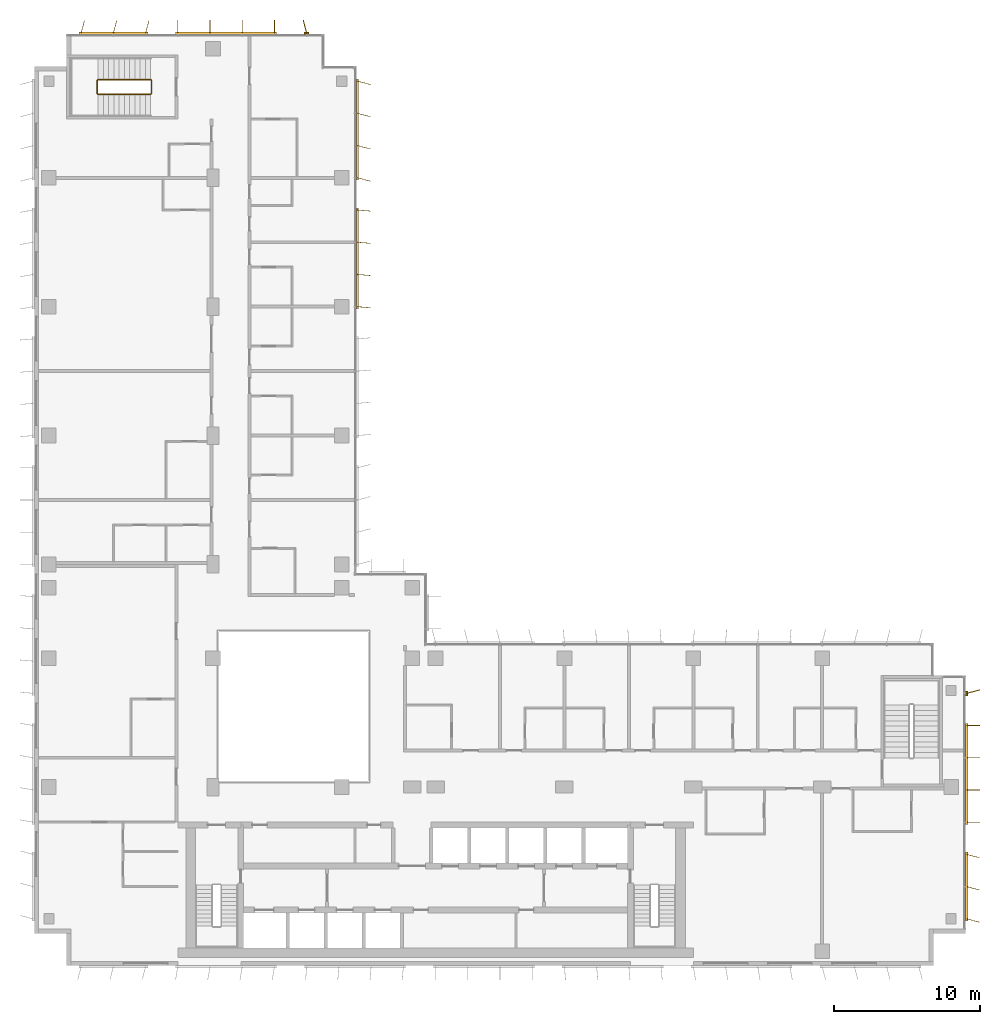
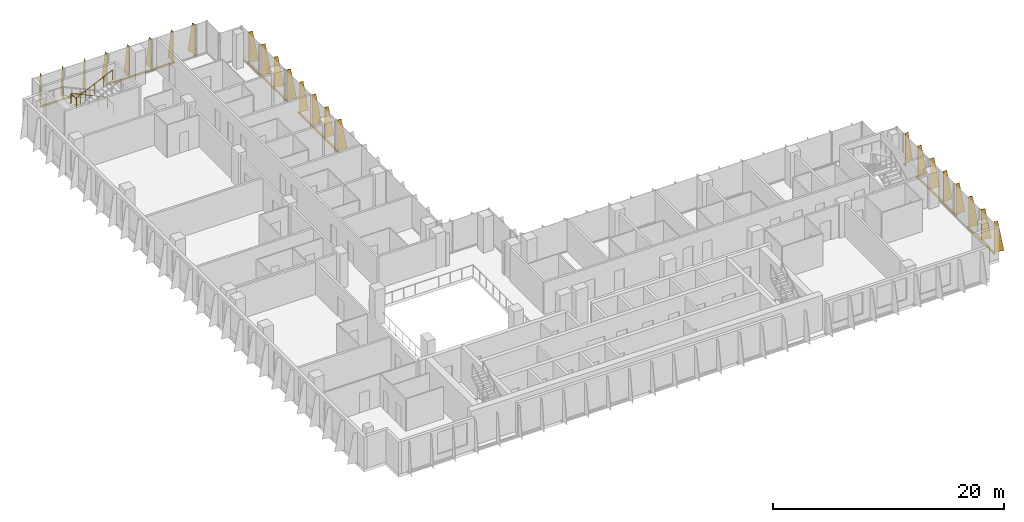
# One storey, part 21 of 21: 8 shading devices, 1 railing.
"""IFC4 building model written with IfcOpenShell, lengths in metres."""

from ifc_helpers import new_model, si_unit, direction, frame, origin, origin_2d, place, context, subcontext, project, spatial, polyline, rectangle, circle, outline, extrude, source, transform, mapped, material, layer, layer_set, type_object, element, save


model = new_model("IFC4")

# Units and contexts
model_context = context("Model", 3, precision=1e-05, world=origin(), true_north=direction((0.0, 1.0)))
body_context = subcontext(model_context, "Body", "Model", "MODEL_VIEW")
ifc_project = project(units=[si_unit("LENGTHUNIT", "METRE"), si_unit("AREAUNIT", "SQUARE_METRE"), si_unit("VOLUMEUNIT", "CUBIC_METRE"), si_unit("PLANEANGLEUNIT", "RADIAN"), si_unit("MASSUNIT", "GRAM", prefix="KILO")], contexts=[model_context])

# Site, building, storey
site_placement = place(None, origin())
site = spatial("IfcSite", under=ifc_project, at=site_placement, CompositionType="ELEMENT")
building_placement = place(site_placement, origin())
building = spatial("IfcBuilding", under=site, at=building_placement, Name="Kemantara Hotel Tower", CompositionType="ELEMENT")
storey_placement = place(building_placement, frame((0.0, 0.0, 215.39990234375)))
storey = spatial("IfcBuildingStorey", under=building, at=storey_placement, Name="L53", CompositionType="ELEMENT", Elevation=215.39990234375)

# Railing
ifc_material_1 = material(Name="Stainless steel balustrade", Category="steel")
railing_type = type_object("IfcRailingType", Name="Stair guard 1100 mm", PredefinedType="GUARDRAIL", material=ifc_material_1)
railing_placement = place(storey_placement, frame((7.949951171875, 59.5, 3.7001953125)))
element("IfcRailing", 1, at=railing_placement, inside=storey, type_object=railing_type, Name="L53 ST4 stair guard 1", PredefinedType="GUARDRAIL", context=body_context, shape_type="SweptSolid", body=[
    extrude(circle(Radius=0.02392578125, at=origin_2d()), frame((0.0, 0.0, 1.076171875), z_axis=(-0.905994681025, 0.0, -0.423289071386), x_axis=(0.0, -1.0, 0.0)), (0.0, 0.0, 1.0), 3.973388671875),
    extrude(circle(Radius=0.02392578125, at=origin_2d()), frame((-3.599853515625, 0.0, -0.60595703125), z_axis=(-0.274243871929, 0.274243871929, -0.92172696468), x_axis=(-0.707106781187, -0.707106781187, 0.0)), (0.0, 0.0, 1.0), 0.1826171875),
    extrude(circle(Radius=0.02392578125, at=origin_2d()), frame((-3.64990234375, 0.050048828125, -0.77392578125), z_axis=(0.0, 1.0, 0.0), x_axis=(-1.0, 0.0, 0.0)), (0.0, 0.0, 1.0), 0.89990234375),
    extrude(circle(Radius=0.02392578125, at=origin_2d()), frame((-3.64990234375, 0.949951171875, -0.77392578125), z_axis=(0.707106781187, 0.707106781187, 0.0), x_axis=(-0.707106781187, 0.707106781187, 0.0)), (0.0, 0.0, 1.0), 0.07080078125),
    extrude(circle(Radius=0.02392578125, at=origin_2d()), frame((-3.599853515625, 1.0, -0.77392578125), z_axis=(0.905994681025, 0.0, -0.423289071386), x_axis=(0.0, 1.0, 0.0)), (0.0, 0.0, 1.0), 3.973388671875),
    extrude(circle(Radius=0.02392578125, at=origin_2d()), frame((0.0, 1.0, -2.4560546875), z_axis=(0.274243871929, -0.274243871929, -0.92172696468), x_axis=(0.707106781187, 0.707106781187, 0.0)), (0.0, 0.0, 1.0), 0.1826171875),
    extrude(circle(Radius=0.02392578125, at=origin_2d()), frame((0.050048828125, 0.949951171875, -2.6240234375), z_axis=(0.0, -1.0, 0.0), x_axis=(1.0, 0.0, 0.0)), (0.0, 0.0, 1.0), 0.89990234375),
    extrude(circle(Radius=0.02099609375, at=origin_2d()), origin(), (0.0, 0.0, 1.0), 1.052001953125),
    extrude(circle(Radius=0.02099609375, at=origin_2d()), frame((-0.89990234375, 0.0, -0.42041015625)), (0.0, 0.0, 1.0), 1.052001953125),
    extrude(circle(Radius=0.02099609375, at=origin_2d()), frame((-1.7998046875, 0.0, -0.8408203125)), (0.0, 0.0, 1.0), 1.052001953125),
    extrude(circle(Radius=0.02099609375, at=origin_2d()), frame((-2.699951171875, 0.0, -1.261474609375)), (0.0, 0.0, 1.0), 1.052001953125),
    extrude(circle(Radius=0.02099609375, at=origin_2d()), frame((-3.599853515625, 0.0, -1.681884765625)), (0.0, 0.0, 1.0), 1.052001953125),
    extrude(circle(Radius=0.02099609375, at=origin_2d()), frame((-3.64990234375, 0.050048828125, -1.85009765625)), (0.0, 0.0, 1.0), 1.052001953125),
    extrude(circle(Radius=0.02099609375, at=origin_2d()), frame((-3.64990234375, 0.949951171875, -1.85009765625)), (0.0, 0.0, 1.0), 1.052001953125),
    extrude(circle(Radius=0.02099609375, at=origin_2d()), frame((-3.599853515625, 1.0, -1.85009765625)), (0.0, 0.0, 1.0), 1.052001953125),
    extrude(circle(Radius=0.02099609375, at=origin_2d()), frame((-2.699951171875, 1.0, -2.2705078125)), (0.0, 0.0, 1.0), 1.052001953125),
    extrude(circle(Radius=0.02099609375, at=origin_2d()), frame((-1.7998046875, 1.0, -2.69091796875)), (0.0, 0.0, 1.0), 1.052001953125),
    extrude(circle(Radius=0.02099609375, at=origin_2d()), frame((-0.89990234375, 1.0, -3.111572265625)), (0.0, 0.0, 1.0), 1.052001953125),
    extrude(circle(Radius=0.02099609375, at=origin_2d()), frame((0.0, 1.0, -3.531982421875)), (0.0, 0.0, 1.0), 1.052001953125),
    extrude(circle(Radius=0.02099609375, at=origin_2d()), frame((0.050048828125, 0.949951171875, -3.7001953125)), (0.0, 0.0, 1.0), 1.052001953125),
    extrude(circle(Radius=0.02099609375, at=origin_2d()), frame((0.050048828125, 0.050048828125, -3.7001953125)), (0.0, 0.0, 1.0), 1.052001953125),
])

# Shading devices
ifc_material_2 = material(Name="Perforated aluminium plate 4 mm bronze anodised", Category="aluminium")
ifc_layer_1 = layer(ifc_material_2, 0.0400390625)
ifc_layer_set_1 = layer_set([ifc_layer_1], Name="Perforated aluminium plate 4 mm bronze anodised")
shading_device_type_1 = type_object("IfcShadingDeviceType", Name="SCREEN FIN CASSETTE, 3 BLADES AT -15.0 DEG, 3200 HIGH", PredefinedType="USERDEFINED", material=ifc_layer_set_1)
shared_shape_1 = source(origin(), body_context, "Body", "SweptSolid", [
    extrude(rectangle(XDim=4.699951171875, YDim=0.14990234375, at=origin_2d()), frame((2.199951171875, -0.074951171875, -0.14990234375), z_axis=(0.0, 0.0, 1.0), x_axis=(1.0, 0.0, 0.0)), (0.0, 0.0, 1.0), 0.14990234375),
    extrude(outline(polyline([(0.0, 0.0), (0.89990234375, 0.0), (0.35009765625, 3.199951171875), (0.0, 3.199951171875), (0.0, 0.0)])), frame((0.019287109375, -0.080078125, 0.0), z_axis=(-0.966437683387, 0.256901156343, 0.0), x_axis=(-0.256901156343, -0.966437683387, 0.0)), (0.0, 0.0, 1.0), 0.039794921875),
    extrude(outline(polyline([(0.0, 0.0), (0.89990234375, 0.0), (0.35009765625, 3.199951171875), (0.0, 3.199951171875), (0.0, 0.0)])), frame((2.21923828125, -0.080078125, 0.0), z_axis=(-0.966437683387, 0.256901156343, 0.0), x_axis=(-0.256901156343, -0.966437683387, 0.0)), (0.0, 0.0, 1.0), 0.039794921875),
    extrude(outline(polyline([(0.0, 0.0), (0.89990234375, 0.0), (0.35009765625, 3.199951171875), (0.0, 3.199951171875), (0.0, 0.0)])), frame((4.41943359375, -0.080078125, 0.0), z_axis=(-0.966837822169, 0.255391122837, 0.0), x_axis=(-0.255391122837, -0.966837822169, 0.0)), (0.0, 0.0, 1.0), 0.0400390625),
])
for number, where, z_axis, x_axis, name in (
    (2, (7.60009765625, 63.60009765625, 0.10009765625), (0.0, 0.0, 1.0), (-1.0, 0.0, 0.0), "SCREEN FIN CASSETTE L53 T3-R02-3"),
    (3, (63.60009765625, 3.199951171875, 0.10009765625), (0.0, 0.0, 1.0), (0.0, 1.0, 0.0), "SCREEN FIN CASSETTE L53 T3-R11-1"),
):
    element("IfcShadingDevice", number, at=place(storey_placement, frame(where, z_axis=z_axis, x_axis=x_axis)), inside=storey, type_object=shading_device_type_1, Name=name, ObjectType="SCREEN FIN", PredefinedType="USERDEFINED", context=body_context, shape_type="MappedRepresentation", body=[
        mapped(shared_shape_1, transform((0.0, 0.0, 0.0))),
    ])
ifc_layer_2 = layer(ifc_material_2, 0.0400390625)
ifc_layer_set_2 = layer_set([ifc_layer_2], Name="Perforated aluminium plate 4 mm bronze anodised")
shading_device_type_2 = type_object("IfcShadingDeviceType", Name="SCREEN FIN CASSETTE, 4 BLADES AT -5.0 DEG, 3200 HIGH", PredefinedType="USERDEFINED", material=ifc_layer_set_2)
shared_shape_2 = source(origin(), body_context, "Body", "SweptSolid", [
    extrude(rectangle(XDim=6.89990234375, YDim=0.14990234375, at=origin_2d()), frame((3.300048828125, -0.074951171875, -0.14990234375), z_axis=(0.0, 0.0, 1.0), x_axis=(1.0, 0.0, 0.0)), (0.0, 0.0, 1.0), 0.14990234375),
    extrude(outline(polyline([(0.0, 0.0), (0.89990234375, 0.0), (0.35009765625, 3.199951171875), (0.0, 3.199951171875), (0.0, 0.0)])), frame((0.02001953125, -0.07666015625, 0.0), z_axis=(-0.996376129781, 0.085056498884, 0.0), x_axis=(-0.085056498884, -0.996376129781, 0.0)), (0.0, 0.0, 1.0), 0.040283203125),
    extrude(outline(polyline([(0.0, 0.0), (0.89990234375, 0.0), (0.35009765625, 3.199951171875), (0.0, 3.199951171875), (0.0, 0.0)])), frame((2.219970703125, -0.07666015625, 0.0), z_axis=(-0.996331773833, 0.085574508182, 0.0), x_axis=(-0.085574508182, -0.996331773833, 0.0)), (0.0, 0.0, 1.0), 0.0400390625),
    extrude(outline(polyline([(0.0, 0.0), (0.89990234375, 0.0), (0.35009765625, 3.199951171875), (0.0, 3.199951171875), (0.0, 0.0)])), frame((4.419921875, -0.07666015625, 0.0), z_axis=(-0.996331773833, 0.085574508182, 0.0), x_axis=(-0.085574508182, -0.996331773833, 0.0)), (0.0, 0.0, 1.0), 0.0400390625),
    extrude(outline(polyline([(0.0, 0.0), (0.89990234375, 0.0), (0.35009765625, 3.199951171875), (0.0, 3.199951171875), (0.0, 0.0)])), frame((6.619873046875, -0.07666015625, 0.0), z_axis=(-0.996331773833, 0.085574508182, 0.0), x_axis=(-0.085574508182, -0.996331773833, 0.0)), (0.0, 0.0, 1.0), 0.0400390625),
])
shading_device_1_placement = place(storey_placement, frame((22.0, 45.0, 0.10009765625), z_axis=(0.0, 0.0, 1.0), x_axis=(0.0, 1.0, 0.0)))
element("IfcShadingDevice", 4, at=shading_device_1_placement, inside=storey, type_object=shading_device_type_2, Name="SCREEN FIN CASSETTE L53 T3-R17-3", ObjectType="SCREEN FIN", PredefinedType="USERDEFINED", context=body_context, shape_type="MappedRepresentation", body=[
    mapped(shared_shape_2, transform((0.0, 0.0, 0.0))),
])
ifc_layer_3 = layer(ifc_material_2, 0.0400390625)
ifc_layer_set_3 = layer_set([ifc_layer_3], Name="Perforated aluminium plate 4 mm bronze anodised")
shading_device_type_3 = type_object("IfcShadingDeviceType", Name="SCREEN FIN CASSETTE, 4 BLADES AT +0.0 DEG, 3200 HIGH", PredefinedType="USERDEFINED", material=ifc_layer_set_3)
shared_shape_3 = source(origin(), body_context, "Body", "SweptSolid", [
    extrude(rectangle(XDim=6.89990234375, YDim=0.14990234375, at=origin_2d()), frame((3.300048828125, -0.074951171875, -0.14990234375), z_axis=(0.0, 0.0, 1.0), x_axis=(1.0, 0.0, 0.0)), (0.0, 0.0, 1.0), 0.14990234375),
    extrude(outline(polyline([(0.0, 0.0), (0.89990234375, 0.0), (0.35009765625, 3.199951171875), (0.0, 3.199951171875), (0.0, 0.0)])), frame((0.02001953125, -0.074951171875, 0.0), z_axis=(-1.0, 0.0, 0.0), x_axis=(0.0, -1.0, 0.0)), (0.0, 0.0, 1.0), 0.0400390625),
    extrude(outline(polyline([(0.0, 0.0), (0.89990234375, 0.0), (0.35009765625, 3.199951171875), (0.0, 3.199951171875), (0.0, 0.0)])), frame((2.219970703125, -0.074951171875, 0.0), z_axis=(-1.0, 0.0, 0.0), x_axis=(0.0, -1.0, 0.0)), (0.0, 0.0, 1.0), 0.0400390625),
    extrude(outline(polyline([(0.0, 0.0), (0.89990234375, 0.0), (0.35009765625, 3.199951171875), (0.0, 3.199951171875), (0.0, 0.0)])), frame((4.419921875, -0.074951171875, 0.0), z_axis=(-1.0, 0.0, 0.0), x_axis=(0.0, -1.0, 0.0)), (0.0, 0.0, 1.0), 0.0400390625),
    extrude(outline(polyline([(0.0, 0.0), (0.89990234375, 0.0), (0.35009765625, 3.199951171875), (0.0, 3.199951171875), (0.0, 0.0)])), frame((6.6201171875, -0.074951171875, 0.0), z_axis=(-1.0, 0.0, 0.0), x_axis=(0.0, -1.0, 0.0)), (0.0, 0.0, 1.0), 0.0400390625),
])
for number, where, z_axis, x_axis, name in (
    (5, (16.39990234375, 63.60009765625, 0.10009765625), (0.0, 0.0, 1.0), (-1.0, 0.0, 0.0), "SCREEN FIN CASSETTE L53 T3-R02-2"),
    (6, (63.60009765625, 9.800048828125, 0.10009765625), (0.0, 0.0, 1.0), (0.0, 1.0, 0.0), "SCREEN FIN CASSETTE L53 T3-R11-2"),
):
    element("IfcShadingDevice", number, at=place(storey_placement, frame(where, z_axis=z_axis, x_axis=x_axis)), inside=storey, type_object=shading_device_type_3, Name=name, ObjectType="SCREEN FIN", PredefinedType="USERDEFINED", context=body_context, shape_type="MappedRepresentation", body=[
        mapped(shared_shape_3, transform((0.0, 0.0, 0.0))),
    ])
ifc_layer_4 = layer(ifc_material_2, 0.0400390625)
ifc_layer_set_4 = layer_set([ifc_layer_4], Name="Perforated aluminium plate 4 mm bronze anodised")
shading_device_type_4 = type_object("IfcShadingDeviceType", Name="SCREEN FIN CASSETTE, 4 BLADES AT -15.0 DEG, 3200 HIGH", PredefinedType="USERDEFINED", material=ifc_layer_set_4)
shared_shape_4 = source(origin(), body_context, "Body", "SweptSolid", [
    extrude(rectangle(XDim=6.89990234375, YDim=0.14990234375, at=origin_2d()), frame((3.300048828125, -0.074951171875, -0.14990234375), z_axis=(0.0, 0.0, 1.0), x_axis=(1.0, 0.0, 0.0)), (0.0, 0.0, 1.0), 0.14990234375),
    extrude(outline(polyline([(0.0, 0.0), (0.89990234375, 0.0), (0.35009765625, 3.199951171875), (0.0, 3.199951171875), (0.0, 0.0)])), frame((0.019287109375, -0.080078125, 0.0), z_axis=(-0.966437683387, 0.256901156343, 0.0), x_axis=(-0.256901156343, -0.966437683387, 0.0)), (0.0, 0.0, 1.0), 0.039794921875),
    extrude(outline(polyline([(0.0, 0.0), (0.89990234375, 0.0), (0.35009765625, 3.199951171875), (0.0, 3.199951171875), (0.0, 0.0)])), frame((2.21923828125, -0.080078125, 0.0), z_axis=(-0.966437683387, 0.256901156343, 0.0), x_axis=(-0.256901156343, -0.966437683387, 0.0)), (0.0, 0.0, 1.0), 0.039794921875),
    extrude(outline(polyline([(0.0, 0.0), (0.89990234375, 0.0), (0.35009765625, 3.199951171875), (0.0, 3.199951171875), (0.0, 0.0)])), frame((4.41943359375, -0.080078125, 0.0), z_axis=(-0.966837822169, 0.255391122837, 0.0), x_axis=(-0.255391122837, -0.966837822169, 0.0)), (0.0, 0.0, 1.0), 0.0400390625),
    extrude(outline(polyline([(0.0, 0.0), (0.89990234375, 0.0), (0.35009765625, 3.199951171875), (0.0, 3.199951171875), (0.0, 0.0)])), frame((6.619384765625, -0.080078125, 0.0), z_axis=(-0.966837822169, 0.255391122837, 0.0), x_axis=(-0.255391122837, -0.966837822169, 0.0)), (0.0, 0.0, 1.0), 0.0400390625),
])
shading_device_2_placement = place(storey_placement, frame((22.0, 53.800048828125, 0.10009765625), z_axis=(0.0, 0.0, 1.0), x_axis=(0.0, 1.0, 0.0)))
element("IfcShadingDevice", 7, at=shading_device_2_placement, inside=storey, type_object=shading_device_type_4, Name="SCREEN FIN CASSETTE L53 T3-R17-4", ObjectType="SCREEN FIN", PredefinedType="USERDEFINED", context=body_context, shape_type="MappedRepresentation", body=[
    mapped(shared_shape_4, transform((0.0, 0.0, 0.0))),
])
ifc_layer_5 = layer(ifc_material_2, 0.0400390625)
ifc_layer_set_5 = layer_set([ifc_layer_5], Name="Perforated aluminium plate 4 mm bronze anodised")
shading_device_type_5 = type_object("IfcShadingDeviceType", Name="SCREEN FIN CASSETTE, 1 BLADE AT +15.0 DEG, 3200 HIGH", PredefinedType="USERDEFINED", material=ifc_layer_set_5)
shared_shape_5 = source(origin(), body_context, "Body", "SweptSolid", [
    extrude(rectangle(XDim=0.300048828125, YDim=0.14990234375, at=origin_2d()), frame((0.0, -0.074951171875, -0.14990234375), z_axis=(0.0, 0.0, 1.0), x_axis=(1.0, 0.0, 0.0)), (0.0, 0.0, 1.0), 0.14990234375),
    extrude(outline(polyline([(0.0, 0.0), (0.89990234375, 0.0), (0.35009765625, 3.199951171875), (0.0, 3.199951171875), (0.0, 0.0)])), frame((0.019287109375, -0.06982421875, 0.0), z_axis=(-0.966437683387, -0.256901156343, 0.0), x_axis=(0.256901156343, -0.966437683387, 0.0)), (0.0, 0.0, 1.0), 0.039794921875),
])
for number, where, z_axis, x_axis, name in (
    (8, (18.60009765625, 63.60009765625, 0.10009765625), (0.0, 0.0, 1.0), (-1.0, 0.0, 0.0), "SCREEN FIN CASSETTE L53 T3-R02-1"),
    (9, (63.60009765625, 18.60009765625, 0.10009765625), (0.0, 0.0, 1.0), (0.0, 1.0, 0.0), "SCREEN FIN CASSETTE L53 T3-R11-3"),
):
    element("IfcShadingDevice", number, at=place(storey_placement, frame(where, z_axis=z_axis, x_axis=x_axis)), inside=storey, type_object=shading_device_type_5, Name=name, ObjectType="SCREEN FIN", PredefinedType="USERDEFINED", context=body_context, shape_type="MappedRepresentation", body=[
        mapped(shared_shape_5, transform((0.0, 0.0, 0.0))),
    ])

save(model, "model.ifc")
